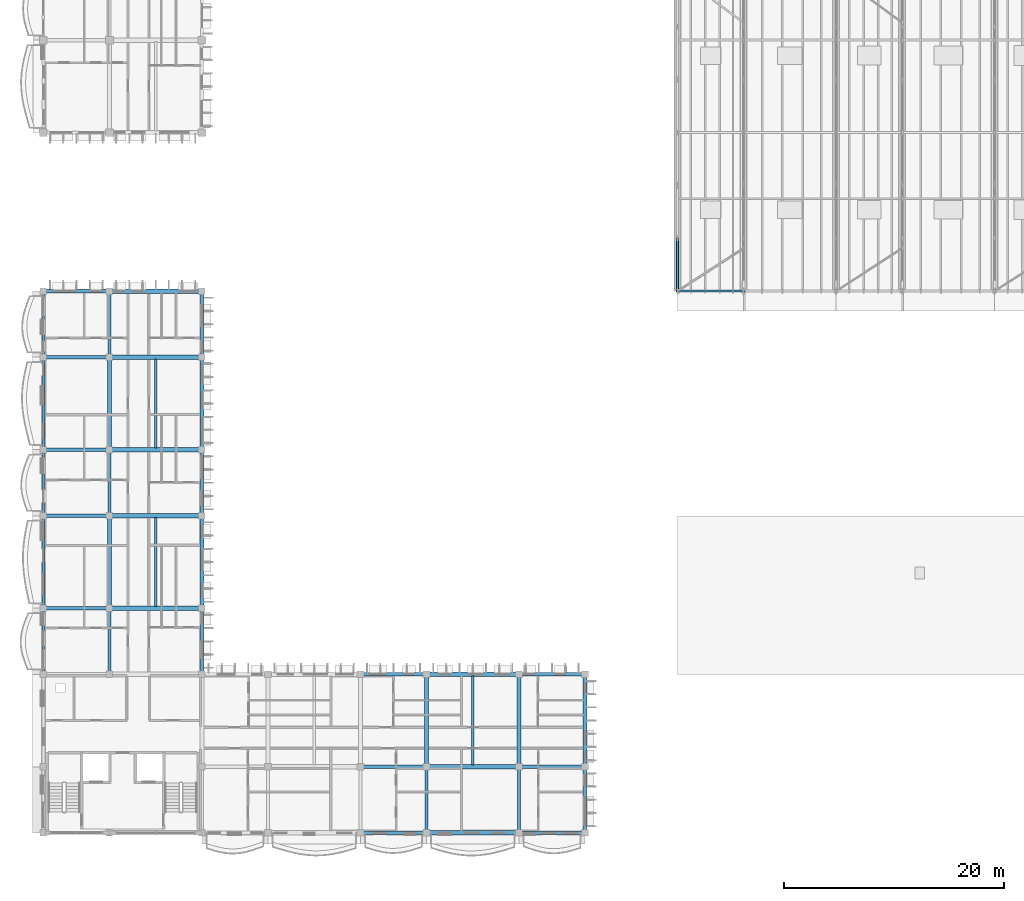
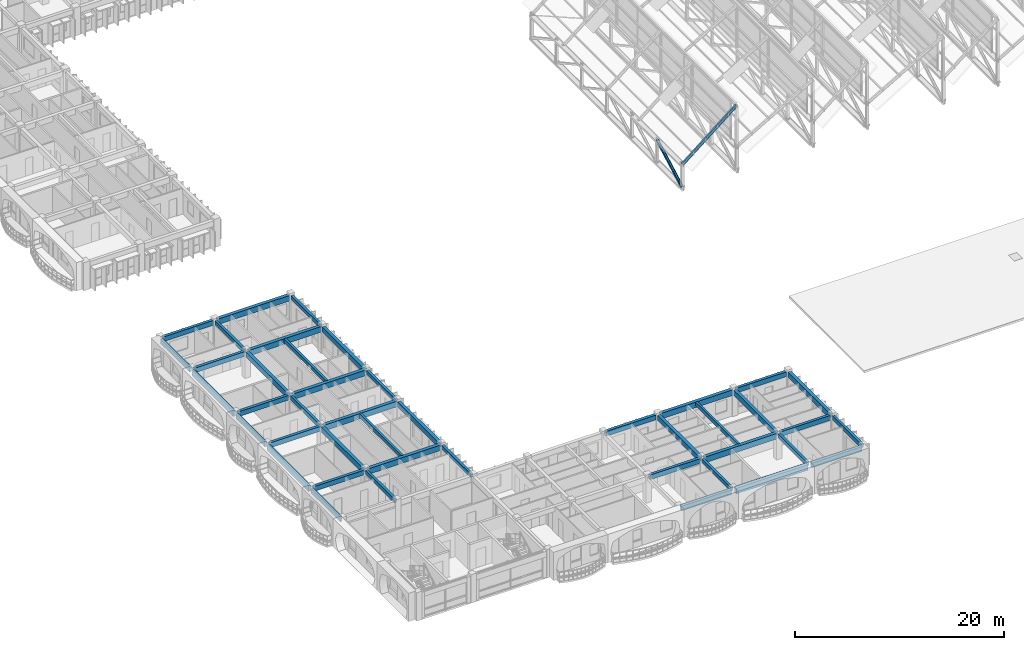
# One storey, part 13 of 101: 44 beams, 1 member.
"""IFC4 building model written with IfcOpenShell, lengths in metres."""

from ifc_helpers import new_model, si_unit, direction, frame, origin, origin_2d, place, context, subcontext, project, spatial, rectangle, i_section, extrude, material, material_profile, profile_set, type_object, element, save


model = new_model("IFC4")

# Units and contexts
model_context = context("Model", 3, precision=1e-05, world=origin(), true_north=direction((0.0, 1.0)))
body_context = subcontext(model_context, "Body", "Model", "MODEL_VIEW")
ifc_project = project(units=[si_unit("LENGTHUNIT", "METRE"), si_unit("AREAUNIT", "SQUARE_METRE"), si_unit("VOLUMEUNIT", "CUBIC_METRE"), si_unit("PLANEANGLEUNIT", "RADIAN"), si_unit("MASSUNIT", "GRAM", prefix="KILO"), si_unit("THERMODYNAMICTEMPERATUREUNIT", "KELVIN")], contexts=[model_context])

# Site, building, storey
site_placement = place(None, origin())
site = spatial("IfcSite", under=ifc_project, at=site_placement, CompositionType="ELEMENT")
building_placement = place(site_placement, origin())
building = spatial("IfcBuilding", under=site, at=building_placement, Name="Thalorik Housing Commons", CompositionType="ELEMENT")
storey_placement = place(building_placement, frame((0.0, 0.0, 8.10009765625)))
storey = spatial("IfcBuildingStorey", under=building, at=storey_placement, Name="L02", CompositionType="ELEMENT", Elevation=8.10009765625)

# Beams
ifc_material_1 = material(Name="Precast concrete C40/50", Category="concrete")
ifc_material_profile_1 = material_profile(ifc_material_1, rectangle(XDim=0.280029296875, YDim=0.449951171875, at=origin_2d()), Name="PC 280x450", Category="concrete")
ifc_profile_set_1 = profile_set([ifc_material_profile_1], Name="Precast concrete C40/50")
beam_type_1 = type_object("IfcBeamType", Name="STR-BM-PC280x450", PredefinedType="BEAM", material=ifc_profile_set_1)
for number, where, z_axis, x_axis, name in (
    (1, (14.39990234375, 23.050048828125, 2.81494140625), (0.0, 1.0, 0.0), (-1.0, 0.0, 0.0), "L02 Beam B-450"),
    (2, (14.39990234375, 37.449951171875, 2.81494140625), (0.0, 1.0, 0.0), (-1.0, 0.0, 0.0), "L02 Beam B-450"),
    (3, (14.39990234375, 51.85009765625, 2.81494140625), (0.0, 1.0, 0.0), (-1.0, 0.0, 0.0), "L02 Beam B-450"),
    (4, (22.800048828125, 23.050048828125, 2.81494140625), (0.0, 1.0, 0.0), (-1.0, 0.0, 0.0), "L02 Beam B-450"),
    (5, (22.800048828125, 37.449951171875, 2.81494140625), (0.0, 1.0, 0.0), (-1.0, 0.0, 0.0), "L02 Beam B-450"),
    (6, (22.800048828125, 51.85009765625, 2.81494140625), (0.0, 1.0, 0.0), (-1.0, 0.0, 0.0), "L02 Beam B-450"),
    (7, (43.199951171875, 8.64990234375, 2.81494140625), (0.0, 1.0, 0.0), (-1.0, 0.0, 0.0), "L02 Beam B-450"),
    (8, (51.60009765625, 8.64990234375, 2.81494140625), (0.0, 1.0, 0.0), (-1.0, 0.0, 0.0), "L02 Beam B-450"),
    (9, (57.60009765625, 8.64990234375, 2.81494140625), (0.0, 1.0, 0.0), (-1.0, 0.0, 0.0), "L02 Beam B-450"),
):
    element("IfcBeam", number, at=place(storey_placement, frame(where, z_axis=z_axis, x_axis=x_axis)), inside=storey, type_object=beam_type_1, Name=name, PredefinedType="BEAM", context=body_context, shape_type="SweptSolid", body=[
        extrude(rectangle(XDim=0.280029296875, YDim=0.449951171875, at=origin_2d()), origin(), (0.0, 0.0, 1.0), 5.5),
    ])
ifc_material_profile_2 = material_profile(ifc_material_1, rectangle(XDim=0.320068359375, YDim=0.550048828125, at=origin_2d()), Name="PC 320x550", Category="concrete")
ifc_profile_set_2 = profile_set([ifc_material_profile_2], Name="Precast concrete C40/50")
beam_type_2 = type_object("IfcBeamType", Name="STR-BM-PC320x550", PredefinedType="BEAM", material=ifc_profile_set_2)
for number, where, z_axis, x_axis, name in (
    (10, (37.449951171875, 8.39990234375, 2.764892578125), (1.0, 0.0, 0.0), (0.0, 1.0, 0.0), "L02 Beam B-550"),
    (11, (51.85009765625, 8.39990234375, 2.764892578125), (1.0, 0.0, 0.0), (0.0, 1.0, 0.0), "L02 Beam B-550"),
    (12, (37.449951171875, 14.39990234375, 2.764892578125), (1.0, 0.0, 0.0), (0.0, 1.0, 0.0), "L02 Beam B-550"),
    (13, (51.85009765625, 14.39990234375, 2.764892578125), (1.0, 0.0, 0.0), (0.0, 1.0, 0.0), "L02 Beam B-550"),
    (14, (37.449951171875, 22.800048828125, 2.764892578125), (1.0, 0.0, 0.0), (0.0, 1.0, 0.0), "L02 Beam B-550"),
    (15, (51.85009765625, 22.800048828125, 2.764892578125), (1.0, 0.0, 0.0), (0.0, 1.0, 0.0), "L02 Beam B-550"),
    (16, (8.64990234375, 28.800048828125, 2.764892578125), (1.0, 0.0, 0.0), (0.0, 1.0, 0.0), "L02 Beam B-550"),
    (17, (8.64990234375, 37.199951171875, 2.764892578125), (1.0, 0.0, 0.0), (0.0, 1.0, 0.0), "L02 Beam B-550"),
    (18, (8.64990234375, 43.199951171875, 2.764892578125), (1.0, 0.0, 0.0), (0.0, 1.0, 0.0), "L02 Beam B-550"),
    (19, (8.64990234375, 51.60009765625, 2.764892578125), (1.0, 0.0, 0.0), (0.0, 1.0, 0.0), "L02 Beam B-550"),
    (20, (8.64990234375, 57.60009765625, 2.764892578125), (1.0, 0.0, 0.0), (0.0, 1.0, 0.0), "L02 Beam B-550"),
):
    element("IfcBeam", number, at=place(storey_placement, frame(where, z_axis=z_axis, x_axis=x_axis)), inside=storey, type_object=beam_type_2, Name=name, PredefinedType="BEAM", context=body_context, shape_type="SweptSolid", body=[
        extrude(rectangle(XDim=0.320068359375, YDim=0.550048828125, at=origin_2d()), origin(), (0.0, 0.0, 1.0), 5.5),
    ])
ifc_material_profile_3 = material_profile(ifc_material_1, rectangle(XDim=0.35009765625, YDim=0.60009765625, at=origin_2d()), Name="PC 350x600", Category="concrete")
ifc_profile_set_3 = profile_set([ifc_material_profile_3], Name="Precast concrete C40/50")
beam_type_3 = type_object("IfcBeamType", Name="STR-BM-PC350x600", PredefinedType="BEAM", material=ifc_profile_set_3)
beam_1_placement = place(storey_placement, frame((14.39990234375, 29.050048828125, 2.739990234375), z_axis=(0.0, 1.0, 0.0), x_axis=(-1.0, 0.0, 0.0)))
element("IfcBeam", 21, at=beam_1_placement, inside=storey, type_object=beam_type_3, Name="L02 Beam B-600", PredefinedType="BEAM", context=body_context, shape_type="SweptSolid", body=[
    extrude(rectangle(XDim=0.35009765625, YDim=0.60009765625, at=origin_2d()), origin(), (0.0, 0.0, 1.0), 7.89990234375),
])
beam_2_placement = place(storey_placement, frame((14.39990234375, 43.449951171875, 2.739990234375), z_axis=(0.0, 1.0, 0.0), x_axis=(-1.0, 0.0, 0.0)))
element("IfcBeam", 22, at=beam_2_placement, inside=storey, type_object=beam_type_3, Name="L02 Beam B-600", PredefinedType="BEAM", context=body_context, shape_type="SweptSolid", body=[
    extrude(rectangle(XDim=0.35009765625, YDim=0.60009765625, at=origin_2d()), origin(), (0.0, 0.0, 1.0), 7.900146484375),
])
beam_3_placement = place(storey_placement, frame((22.800048828125, 29.050048828125, 2.739990234375), z_axis=(0.0, 1.0, 0.0), x_axis=(-1.0, 0.0, 0.0)))
element("IfcBeam", 23, at=beam_3_placement, inside=storey, type_object=beam_type_3, Name="L02 Beam B-600", PredefinedType="BEAM", context=body_context, shape_type="SweptSolid", body=[
    extrude(rectangle(XDim=0.35009765625, YDim=0.60009765625, at=origin_2d()), origin(), (0.0, 0.0, 1.0), 7.89990234375),
])
for number, where, z_axis, x_axis, name in (
    (24, (22.800048828125, 43.449951171875, 2.739990234375), (0.0, 1.0, 0.0), (-1.0, 0.0, 0.0), "L02 Beam B-600"),
    (25, (43.199951171875, 14.64990234375, 2.739990234375), (0.0, 1.0, 0.0), (-1.0, 0.0, 0.0), "L02 Beam B-600"),
    (26, (51.60009765625, 14.64990234375, 2.739990234375), (0.0, 1.0, 0.0), (-1.0, 0.0, 0.0), "L02 Beam B-600"),
    (27, (57.60009765625, 14.64990234375, 2.739990234375), (0.0, 1.0, 0.0), (-1.0, 0.0, 0.0), "L02 Beam B-600"),
):
    element("IfcBeam", number, at=place(storey_placement, frame(where, z_axis=z_axis, x_axis=x_axis)), inside=storey, type_object=beam_type_3, Name=name, PredefinedType="BEAM", context=body_context, shape_type="SweptSolid", body=[
        extrude(rectangle(XDim=0.35009765625, YDim=0.60009765625, at=origin_2d()), origin(), (0.0, 0.0, 1.0), 7.900146484375),
    ])
ifc_material_profile_4 = material_profile(ifc_material_1, rectangle(XDim=0.3798828125, YDim=0.64990234375, at=origin_2d()), Name="PC 380x650", Category="concrete")
ifc_profile_set_4 = profile_set([ifc_material_profile_4], Name="Precast concrete C40/50")
beam_type_4 = type_object("IfcBeamType", Name="STR-BM-PC380x650", PredefinedType="BEAM", material=ifc_profile_set_4)
for number, where, z_axis, x_axis, name in (
    (28, (43.449951171875, 8.39990234375, 2.71484375), (1.0, 0.0, 0.0), (0.0, 1.0, 0.0), "L02 Beam B-650"),
    (29, (43.449951171875, 14.39990234375, 2.71484375), (1.0, 0.0, 0.0), (0.0, 1.0, 0.0), "L02 Beam B-650"),
    (30, (43.449951171875, 22.800048828125, 2.71484375), (1.0, 0.0, 0.0), (0.0, 1.0, 0.0), "L02 Beam B-650"),
    (31, (14.64990234375, 28.800048828125, 2.71484375), (1.0, 0.0, 0.0), (0.0, 1.0, 0.0), "L02 Beam B-650"),
    (32, (14.64990234375, 37.199951171875, 2.71484375), (1.0, 0.0, 0.0), (0.0, 1.0, 0.0), "L02 Beam B-650"),
    (33, (14.64990234375, 43.199951171875, 2.71484375), (1.0, 0.0, 0.0), (0.0, 1.0, 0.0), "L02 Beam B-650"),
    (34, (14.64990234375, 51.60009765625, 2.71484375), (1.0, 0.0, 0.0), (0.0, 1.0, 0.0), "L02 Beam B-650"),
    (35, (14.64990234375, 57.60009765625, 2.71484375), (1.0, 0.0, 0.0), (0.0, 1.0, 0.0), "L02 Beam B-650"),
):
    element("IfcBeam", number, at=place(storey_placement, frame(where, z_axis=z_axis, x_axis=x_axis)), inside=storey, type_object=beam_type_4, Name=name, PredefinedType="BEAM", context=body_context, shape_type="SweptSolid", body=[
        extrude(rectangle(XDim=0.3798828125, YDim=0.64990234375, at=origin_2d()), origin(), (0.0, 0.0, 1.0), 7.900146484375),
    ])
ifc_material_2 = material(Name="Steel S355", Category="steel")
ifc_material_profile_5 = material_profile(ifc_material_2, i_section(OverallWidth=0.1708984375, OverallDepth=0.35498046875, WebThickness=0.007080078125, FlangeThickness=0.01171875, FilletRadius=0.010009765625, at=origin_2d()), Name="W360x51", Category="steel")
ifc_profile_set_5 = profile_set([ifc_material_profile_5], Name="Steel S355")
beam_type_5 = type_object("IfcBeamType", Name="STR-BM-W360x51", PredefinedType="BEAM", material=ifc_profile_set_5)
beam_4_placement = place(storey_placement, frame((66.0, 57.60009765625, 3.0), z_axis=(0.777706721002, 0.0, 0.628627279163), x_axis=(0.0, 1.0, 0.0)))
element("IfcBeam", 36, at=beam_4_placement, inside=storey, type_object=beam_type_5, Name="L02 Sawtooth Bay 1 Rafter 1", PredefinedType="BEAM", context=body_context, shape_type="SweptSolid", body=[
    extrude(i_section(OverallWidth=0.1708984375, OverallDepth=0.35498046875, WebThickness=0.007080078125, FlangeThickness=0.01171875, FilletRadius=0.010009765625, at=origin_2d()), origin(), (0.0, 0.0, 1.0), 7.715087890625),
])
ifc_material_profile_6 = material_profile(ifc_material_1, rectangle(XDim=0.239990234375, YDim=0.43994140625, at=origin_2d()), Name="PC JST 240x440", Category="concrete")
ifc_profile_set_6 = profile_set([ifc_material_profile_6], Name="Precast concrete C40/50")
beam_type_6 = type_object("IfcBeamType", Name="STR-JST-PC240x440", PredefinedType="JOIST", material=ifc_profile_set_6)
beam_5_placement = place(storey_placement, frame((47.39990234375, 14.5400390625, 2.81982421875), z_axis=(0.0, 1.0, 0.0), x_axis=(-1.0, 0.0, 0.0)))
element("IfcBeam", 37, at=beam_5_placement, inside=storey, type_object=beam_type_6, Name="L02 Beam J-440", PredefinedType="JOIST", context=body_context, shape_type="SweptSolid", body=[
    extrude(rectangle(XDim=0.239990234375, YDim=0.43994140625, at=origin_2d()), origin(), (0.0, 0.0, 1.0), 8.119873046875),
])
beam_6_placement = place(storey_placement, frame((18.60009765625, 28.93994140625, 2.81982421875), z_axis=(0.0, 1.0, 0.0), x_axis=(-1.0, 0.0, 0.0)))
element("IfcBeam", 38, at=beam_6_placement, inside=storey, type_object=beam_type_6, Name="L02 Beam J-440", PredefinedType="JOIST", context=body_context, shape_type="SweptSolid", body=[
    extrude(rectangle(XDim=0.239990234375, YDim=0.43994140625, at=origin_2d()), origin(), (0.0, 0.0, 1.0), 8.1201171875),
])
beam_7_placement = place(storey_placement, frame((18.60009765625, 43.340087890625, 2.81982421875), z_axis=(0.0, 1.0, 0.0), x_axis=(-1.0, 0.0, 0.0)))
element("IfcBeam", 39, at=beam_7_placement, inside=storey, type_object=beam_type_6, Name="L02 Beam J-440", PredefinedType="JOIST", context=body_context, shape_type="SweptSolid", body=[
    extrude(rectangle(XDim=0.239990234375, YDim=0.43994140625, at=origin_2d()), origin(), (0.0, 0.0, 1.0), 8.119873046875),
])

# Member
ifc_material_profile_7 = material_profile(ifc_material_2, i_section(OverallWidth=0.25390625, OverallDepth=0.2529296875, WebThickness=0.008544921875, FlangeThickness=0.01416015625, FilletRadius=0.010009765625, at=origin_2d()), Name="W250x73", Category="steel")
ifc_profile_set_7 = profile_set([ifc_material_profile_7], Name="Steel S355")
member_type = type_object("IfcMemberType", Name="STR-MEM-DIAG-250H", PredefinedType="BRACE", material=ifc_profile_set_7)
member_placement = place(storey_placement, frame((66.0, 57.60009765625, 0.349853515625), z_axis=(0.0, 0.875425018498, 0.48335394587), x_axis=(0.0, -0.48335394587, 0.875425018498)))
element("IfcMember", 40, at=member_placement, inside=storey, type_object=member_type, Name="L02 Sawtooth Truss 1 Web Diagonal 1", PredefinedType="BRACE", context=body_context, shape_type="SweptSolid", body=[
    extrude(i_section(OverallWidth=0.25390625, OverallDepth=0.2529296875, WebThickness=0.008544921875, FlangeThickness=0.01416015625, FilletRadius=0.010009765625, at=origin_2d()), origin(), (0.0, 0.0, 1.0), 5.48291015625),
])

# Beams
ifc_material_profile_8 = material_profile(ifc_material_1, rectangle(XDim=0.239990234375, YDim=0.580078125, at=origin_2d()), Name="PC SP 240x580", Category="concrete")
ifc_profile_set_8 = profile_set([ifc_material_profile_8], Name="Precast concrete C40/50")
beam_type_7 = type_object("IfcBeamType", Name="STR-SP-PC240x580", PredefinedType="SPANDREL", material=ifc_profile_set_8)
for number, where, z_axis, x_axis, name in (
    (41, (8.39990234375, 23.050048828125, 2.75), (0.0, 1.0, 0.0), (-1.0, 0.0, 0.0), "L02 Beam B-450"),
    (42, (8.39990234375, 37.449951171875, 2.75), (0.0, 1.0, 0.0), (-1.0, 0.0, 0.0), "L02 Beam B-450"),
    (43, (8.39990234375, 51.85009765625, 2.75), (0.0, 1.0, 0.0), (-1.0, 0.0, 0.0), "L02 Beam B-450"),
):
    element("IfcBeam", number, at=place(storey_placement, frame(where, z_axis=z_axis, x_axis=x_axis)), inside=storey, type_object=beam_type_7, Name=name, PredefinedType="SPANDREL", context=body_context, shape_type="SweptSolid", body=[
        extrude(rectangle(XDim=0.239990234375, YDim=0.580078125, at=origin_2d()), origin(), (0.0, 0.0, 1.0), 5.5),
    ])
ifc_material_profile_9 = material_profile(ifc_material_1, rectangle(XDim=0.260009765625, YDim=0.679931640625, at=origin_2d()), Name="PC SP 260x680", Category="concrete")
ifc_profile_set_9 = profile_set([ifc_material_profile_9], Name="Precast concrete C40/50")
beam_type_8 = type_object("IfcBeamType", Name="STR-SP-PC260x680", PredefinedType="SPANDREL", material=ifc_profile_set_9)
beam_8_placement = place(storey_placement, frame((8.39990234375, 29.050048828125, 2.699951171875), z_axis=(0.0, 1.0, 0.0), x_axis=(-1.0, 0.0, 0.0)))
element("IfcBeam", 44, at=beam_8_placement, inside=storey, type_object=beam_type_8, Name="L02 Beam B-600", PredefinedType="SPANDREL", context=body_context, shape_type="SweptSolid", body=[
    extrude(rectangle(XDim=0.260009765625, YDim=0.679931640625, at=origin_2d()), origin(), (0.0, 0.0, 1.0), 7.89990234375),
])
beam_9_placement = place(storey_placement, frame((8.39990234375, 43.449951171875, 2.699951171875), z_axis=(0.0, 1.0, 0.0), x_axis=(-1.0, 0.0, 0.0)))
element("IfcBeam", 45, at=beam_9_placement, inside=storey, type_object=beam_type_8, Name="L02 Beam B-600", PredefinedType="SPANDREL", context=body_context, shape_type="SweptSolid", body=[
    extrude(rectangle(XDim=0.260009765625, YDim=0.679931640625, at=origin_2d()), origin(), (0.0, 0.0, 1.0), 7.900146484375),
])

save(model, "model.ifc")
